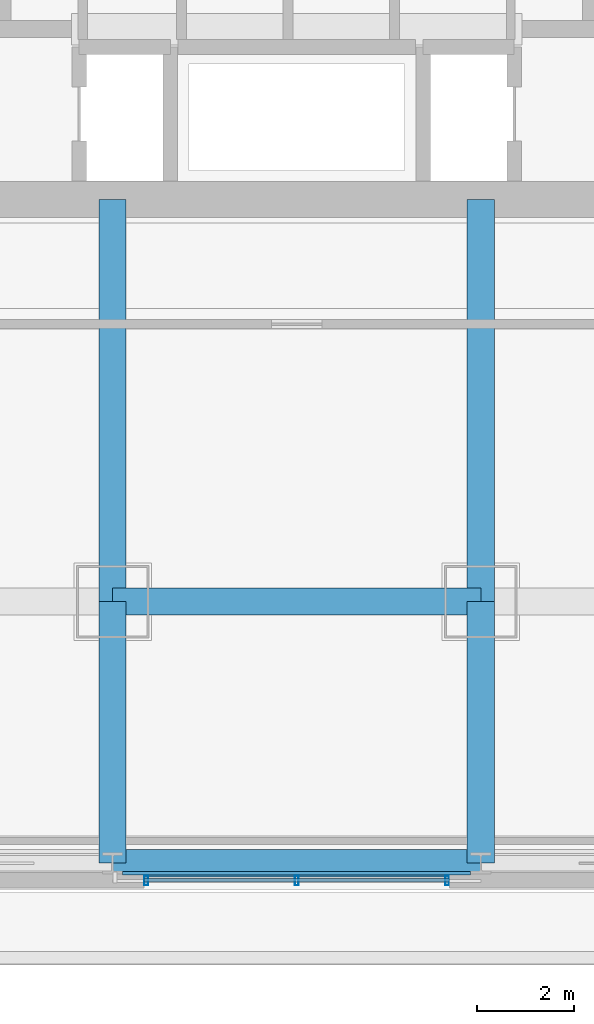
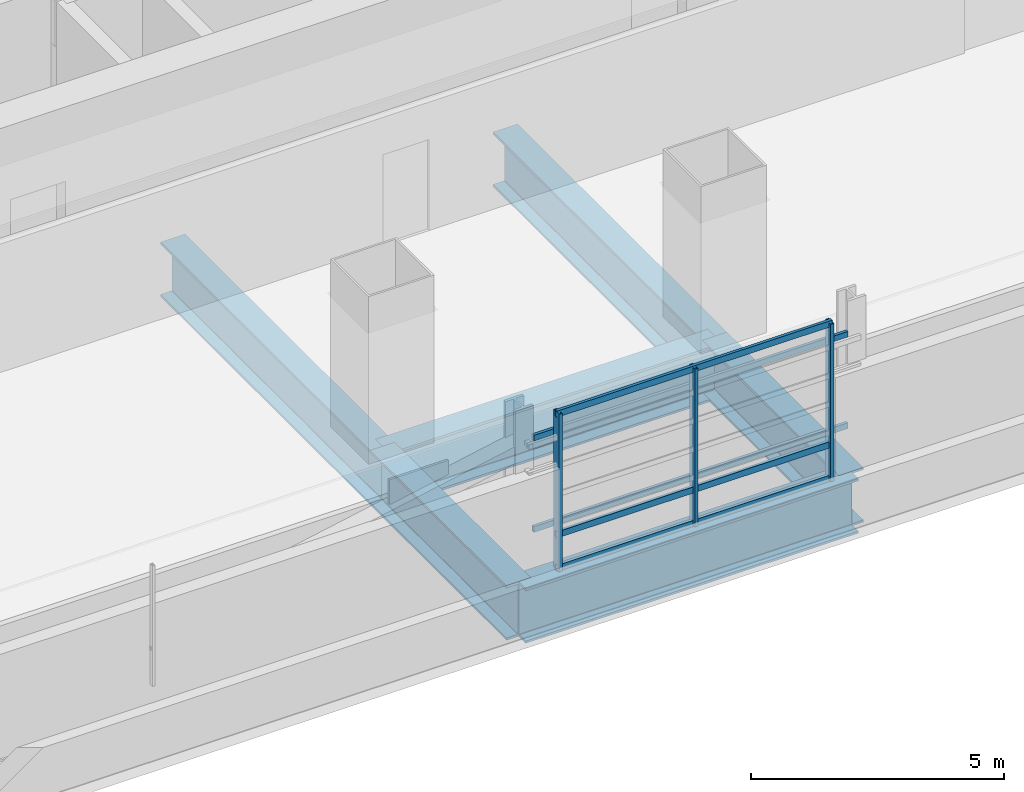
# One storey, part 6 of 30: 8 members, 6 beams, 1 element without a shape of its own.
"""IFC4 building model written with IfcOpenShell, lengths in metres."""

from ifc_helpers import new_model, si_unit, direction, frame, origin, origin_2d, place, context, subcontext, project, spatial, hollow_rectangle, i_section, extrude, material, material_profile, profile_set, type_object, element, aggregate, save


model = new_model("IFC4")

# Units and contexts
model_context = context("Model", 3, precision=1e-05, world=origin(), true_north=direction((0.0, 1.0)))
body_context = subcontext(model_context, "Body", "Model", "MODEL_VIEW")
ifc_project = project(units=[si_unit("LENGTHUNIT", "METRE"), si_unit("AREAUNIT", "SQUARE_METRE"), si_unit("VOLUMEUNIT", "CUBIC_METRE"), si_unit("PLANEANGLEUNIT", "RADIAN"), si_unit("MASSUNIT", "GRAM", prefix="KILO")], contexts=[model_context])

# Site, building, storey
site_placement = place(None, origin())
site = spatial("IfcSite", under=ifc_project, at=site_placement, CompositionType="ELEMENT")
building_placement = place(site_placement, origin())
building = spatial("IfcBuilding", under=site, at=building_placement, Name="Punatoya Terracotta Tower", CompositionType="ELEMENT")
storey_placement = place(building_placement, frame((0.0, 0.0, 28.199951171875)))
storey = spatial("IfcBuildingStorey", under=building, at=storey_placement, Name="L05", CompositionType="ELEMENT", Elevation=28.199951171875)

# Beams
ifc_material_1 = material(Name="Steel S460", Category="steel")
ifc_material_profile_1 = material_profile(ifc_material_1, i_section(OverallWidth=0.56005859375, OverallDepth=1.320068359375, WebThickness=0.035888671875, FlangeThickness=0.054931640625, FilletRadius=0.01806640625, at=origin_2d()))
ifc_profile_set_1 = profile_set([ifc_material_profile_1], Name="Steel S460")
beam_type = type_object("IfcBeamType", Name="BM-TG-BLK", PredefinedType="BEAM", material=ifc_profile_set_1)
beam_1_placement = place(storey_placement, frame((-3.800048828125, -17.5, -0.93994140625), z_axis=(1.0, 0.0, 0.0), x_axis=(0.0, 1.0, 0.0)))
element("IfcBeam", 1, at=beam_1_placement, inside=storey, type_object=beam_type, Name="BM-L05-RG-S2", PredefinedType="BEAM", context=body_context, shape_type="SweptSolid", body=[
    extrude(i_section(OverallWidth=0.56005859375, OverallDepth=1.320068359375, WebThickness=0.035888671875, FlangeThickness=0.054931640625, FilletRadius=0.01806640625, at=origin_2d()), origin(), (0.0, 0.0, 1.0), 7.60009765625),
])
for number, where, z_axis, x_axis, name in (
    (2, (-3.800048828125, -17.5, -0.93994140625), (0.0, 1.0, 0.0), (-1.0, 0.0, 0.0), "BM-L05-PR-S2"),
    (3, (3.800048828125, -17.5, -0.93994140625), (0.0, 1.0, 0.0), (-1.0, 0.0, 0.0), "BM-L05-PR-S3"),
):
    element("IfcBeam", number, at=place(storey_placement, frame(where, z_axis=z_axis, x_axis=x_axis)), inside=storey, type_object=beam_type, Name=name, PredefinedType="BEAM", context=body_context, shape_type="SweptSolid", body=[
        extrude(i_section(OverallWidth=0.56005859375, OverallDepth=1.320068359375, WebThickness=0.035888671875, FlangeThickness=0.054931640625, FilletRadius=0.01806640625, at=origin_2d()), origin(), (0.0, 0.0, 1.0), 8.300048828125),
    ])
for number, where, z_axis, x_axis, name in (
    (4, (-3.800048828125, -22.89990234375, -0.93994140625), (0.0, 1.0, 0.0), (-1.0, 0.0, 0.0), "BM-L05-CANT-S2"),
    (5, (3.800048828125, -22.89990234375, -0.93994140625), (0.0, 1.0, 0.0), (-1.0, 0.0, 0.0), "BM-L05-CANT-S3"),
):
    element("IfcBeam", number, at=place(storey_placement, frame(where, z_axis=z_axis, x_axis=x_axis)), inside=storey, type_object=beam_type, Name=name, PredefinedType="BEAM", context=body_context, shape_type="SweptSolid", body=[
        extrude(i_section(OverallWidth=0.56005859375, OverallDepth=1.320068359375, WebThickness=0.035888671875, FlangeThickness=0.054931640625, FilletRadius=0.01806640625, at=origin_2d()), origin(), (0.0, 0.0, 1.0), 5.39990234375),
    ])
beam_2_placement = place(storey_placement, frame((-3.800048828125, -22.89990234375, -0.93994140625), z_axis=(1.0, 0.0, 0.0), x_axis=(0.0, 1.0, 0.0)))
element("IfcBeam", 6, at=beam_2_placement, inside=storey, type_object=beam_type, Name="BM-L05-PER-S2", PredefinedType="BEAM", context=body_context, shape_type="SweptSolid", body=[
    extrude(i_section(OverallWidth=0.56005859375, OverallDepth=1.320068359375, WebThickness=0.035888671875, FlangeThickness=0.054931640625, FilletRadius=0.01806640625, at=origin_2d()), origin(), (0.0, 0.0, 1.0), 7.60009765625),
])

# Curtain wall, members
ifc_material_2 = material(Name="Aluminium 6063-T6 + Double Low-E Glass", Category="aluminium")
curtain_wall_type = type_object("IfcCurtainWallType", Name="CW-M1", PredefinedType="NOTDEFINED", material=ifc_material_2)
curtain_wall_placement = place(storey_placement, origin())
curtain_wall = element("IfcCurtainWall", 7, at=curtain_wall_placement, inside=storey, type_object=curtain_wall_type, Name="L05 Curtain Wall CW-L05-S01-1", PredefinedType="NOTDEFINED")
ifc_material_3 = material(Name="Aluminium 6063-T6", Category="aluminium")
ifc_material_profile_2 = material_profile(ifc_material_3, hollow_rectangle(XDim=0.074951171875, YDim=0.2099609375, WallThickness=0.00439453125, at=origin_2d()))
ifc_profile_set_2 = profile_set([ifc_material_profile_2], Name="Aluminium 6063-T6")
member_type_1 = type_object("IfcMemberType", Name="CW-MUL-M1", PredefinedType="MULLION", material=ifc_profile_set_2)
member_1_placement = place(storey_placement, frame((-3.10498046875, -23.25, 0.0), z_axis=(0.0, 0.0, 1.0), x_axis=(1.0, 0.0, 0.0)))
member_1 = element("IfcMember", 8, at=member_1_placement, type_object=member_type_1, Name="CW-L05-S01-1 Mullion 00", PredefinedType="MULLION", context=body_context, shape_type="SweptSolid", body=[
    extrude(hollow_rectangle(XDim=0.074951171875, YDim=0.2099609375, WallThickness=0.00439453125, at=origin_2d()), origin(), (0.0, 0.0, 1.0), 3.81005859375),
])
member_2_placement = place(storey_placement, frame((0.0, -23.25, 0.0), z_axis=(0.0, 0.0, 1.0), x_axis=(1.0, 0.0, 0.0)))
member_2 = element("IfcMember", 9, at=member_2_placement, type_object=member_type_1, Name="CW-L05-S01-1 Mullion 01", PredefinedType="MULLION", context=body_context, shape_type="SweptSolid", body=[
    extrude(hollow_rectangle(XDim=0.074951171875, YDim=0.2099609375, WallThickness=0.00439453125, at=origin_2d()), origin(), (0.0, 0.0, 1.0), 3.81005859375),
])
member_3_placement = place(storey_placement, frame((3.10498046875, -23.25, 0.0), z_axis=(0.0, 0.0, 1.0), x_axis=(1.0, 0.0, 0.0)))
member_3 = element("IfcMember", 10, at=member_3_placement, type_object=member_type_1, Name="CW-L05-S01-1 Mullion 02", PredefinedType="MULLION", context=body_context, shape_type="SweptSolid", body=[
    extrude(hollow_rectangle(XDim=0.074951171875, YDim=0.2099609375, WallThickness=0.00439453125, at=origin_2d()), origin(), (0.0, 0.0, 1.0), 3.81005859375),
])
ifc_material_profile_3 = material_profile(ifc_material_3, hollow_rectangle(XDim=0.068115234375, YDim=0.14990234375, WallThickness=0.00390625, at=origin_2d()))
ifc_profile_set_3 = profile_set([ifc_material_profile_3], Name="Aluminium 6063-T6")
member_type_2 = type_object("IfcMemberType", Name="CW-TRN-TYP", PredefinedType="USERDEFINED", material=ifc_profile_set_3)
member_4_placement = place(storey_placement, frame((-3.14990234375, -23.25, 0.0400390625), z_axis=(1.0, 0.0, 0.0), x_axis=(0.0, 1.0, 0.0)))
member_4 = element("IfcMember", 11, at=member_4_placement, type_object=member_type_2, Name="CW-L05-S01-1 Transom 1", ObjectType="TRANSOM", PredefinedType="USERDEFINED", context=body_context, shape_type="SweptSolid", body=[
    extrude(hollow_rectangle(XDim=0.068115234375, YDim=0.14990234375, WallThickness=0.00390625, at=origin_2d()), origin(), (0.0, 0.0, 1.0), 6.2998046875),
])
member_5_placement = place(storey_placement, frame((-3.14990234375, -23.25, 0.85009765625), z_axis=(1.0, 0.0, 0.0), x_axis=(0.0, 1.0, 0.0)))
member_5 = element("IfcMember", 12, at=member_5_placement, type_object=member_type_2, Name="CW-L05-S01-1 Transom 2", ObjectType="TRANSOM", PredefinedType="USERDEFINED", context=body_context, shape_type="SweptSolid", body=[
    extrude(hollow_rectangle(XDim=0.068115234375, YDim=0.14990234375, WallThickness=0.00390625, at=origin_2d()), origin(), (0.0, 0.0, 1.0), 6.2998046875),
])
member_6_placement = place(storey_placement, frame((-3.14990234375, -23.25, 3.77001953125), z_axis=(1.0, 0.0, 0.0), x_axis=(0.0, 1.0, 0.0)))
member_6 = element("IfcMember", 13, at=member_6_placement, type_object=member_type_2, Name="CW-L05-S01-1 Transom 3", ObjectType="TRANSOM", PredefinedType="USERDEFINED", context=body_context, shape_type="SweptSolid", body=[
    extrude(hollow_rectangle(XDim=0.068115234375, YDim=0.14990234375, WallThickness=0.00390625, at=origin_2d()), origin(), (0.0, 0.0, 1.0), 6.2998046875),
])
aggregate(curtain_wall, [member_1, member_2, member_3, member_4, member_5, member_6])

# Members
ifc_material_4 = material(Name="Steel S355", Category="steel")
ifc_material_profile_4 = material_profile(ifc_material_4, hollow_rectangle(XDim=0.070068359375, YDim=0.139892578125, WallThickness=0.006103515625, at=origin_2d()))
ifc_profile_set_4 = profile_set([ifc_material_profile_4], Name="Steel S355")
member_type_3 = type_object("IfcMemberType", Name="MEM-BAG-RAIL", PredefinedType="USERDEFINED", material=ifc_profile_set_4)
for number, where, z_axis, x_axis, name in (
    (14, (-3.592529296875, -23.10498046875, 1.050048828125), (1.0, 0.0, 0.0), (0.0, 1.0, 0.0), "L05 Terracotta Baguette Carrier Rail BAG-L05-S-R1"),
    (15, (-3.592529296875, -23.10498046875, 3.260009765625), (1.0, 0.0, 0.0), (0.0, 1.0, 0.0), "L05 Terracotta Baguette Carrier Rail BAG-L05-S-R2"),
):
    element("IfcMember", number, at=place(storey_placement, frame(where, z_axis=z_axis, x_axis=x_axis)), inside=storey, type_object=member_type_3, Name=name, ObjectType="BAGUETTE", PredefinedType="USERDEFINED", context=body_context, shape_type="SweptSolid", body=[
        extrude(hollow_rectangle(XDim=0.070068359375, YDim=0.139892578125, WallThickness=0.006103515625, at=origin_2d()), origin(), (0.0, 0.0, 1.0), 7.18505859375),
    ])

save(model, "model.ifc")
